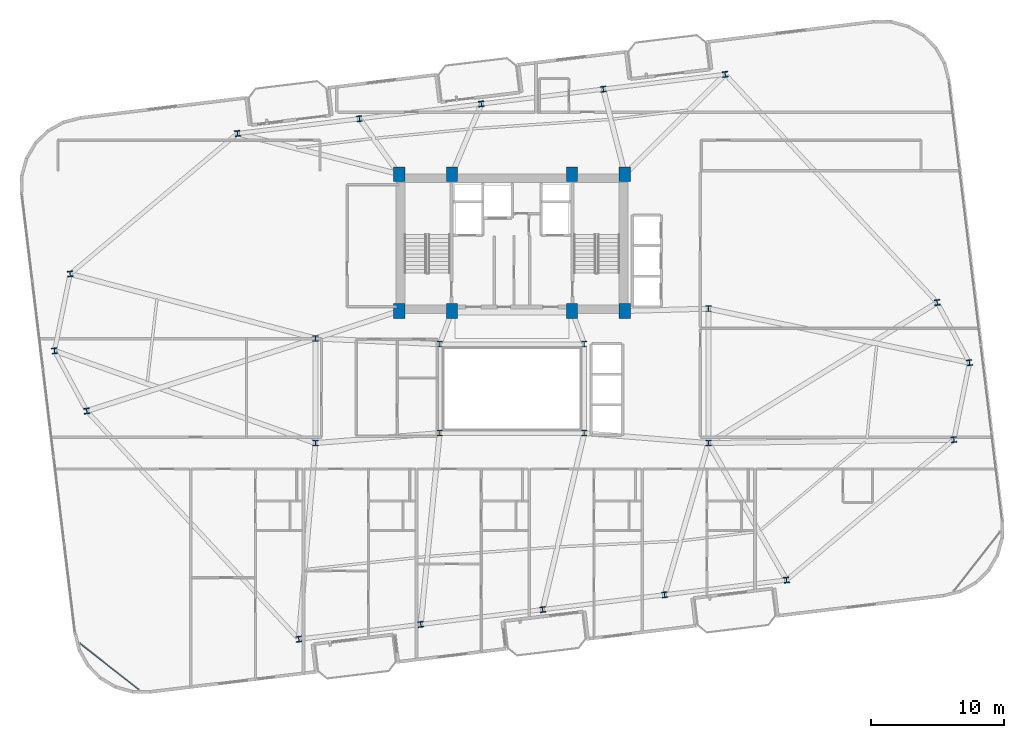
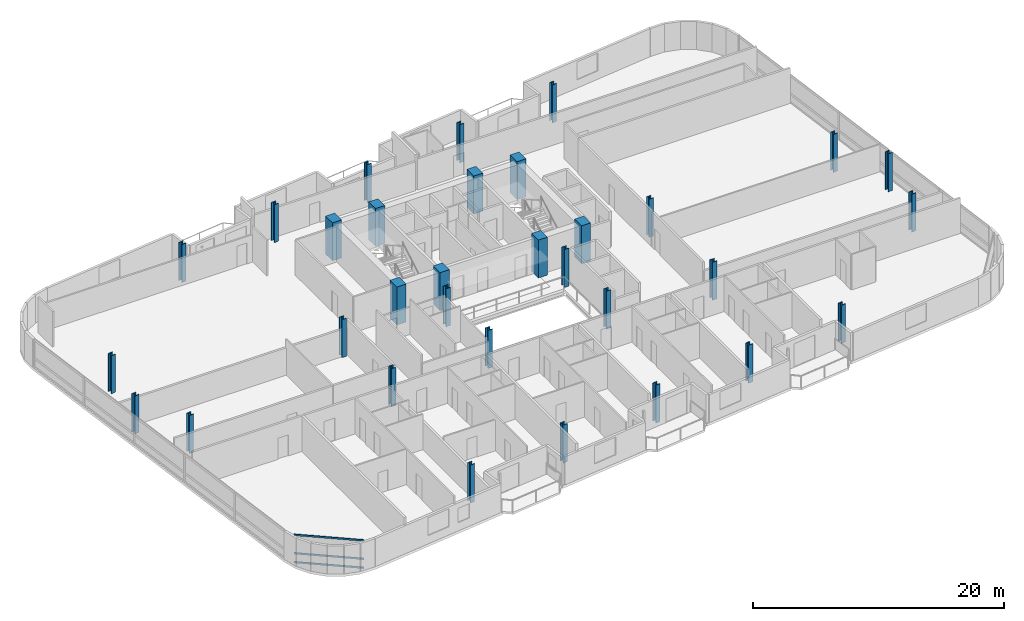
# One storey, part 1 of 24: 32 columns, 3 members, 1 element without a shape of its own.
"""IFC4 building model written with IfcOpenShell, lengths in metres."""

from ifc_helpers import new_model, si_unit, direction, frame, origin, origin_2d, place, context, subcontext, project, spatial, rectangle, hollow_rectangle, i_section, extrude, material, layer, layer_set, material_profile, profile_set, type_object, element, aggregate, save


model = new_model("IFC4")

# Units and contexts
model_context = context("Model", 3, precision=1e-05, world=origin(), true_north=direction((0.0, 1.0)))
body_context = subcontext(model_context, "Body", "Model", "MODEL_VIEW")
ifc_project = project(units=[si_unit("LENGTHUNIT", "METRE"), si_unit("AREAUNIT", "SQUARE_METRE"), si_unit("VOLUMEUNIT", "CUBIC_METRE"), si_unit("PLANEANGLEUNIT", "RADIAN"), si_unit("MASSUNIT", "GRAM", prefix="KILO")], contexts=[model_context])

# Site, building, storey
site_placement = place(None, origin())
site = spatial("IfcSite", under=ifc_project, at=site_placement, CompositionType="ELEMENT")
building_placement = place(site_placement, origin())
building = spatial("IfcBuilding", under=site, at=building_placement, Name="Varnelok Gate Tower", CompositionType="ELEMENT")
storey_placement = place(building_placement, frame((0.0, 0.0, 196.800048828125)))
storey = spatial("IfcBuildingStorey", under=building, at=storey_placement, Name="L50", CompositionType="ELEMENT", Elevation=196.800048828125)

# Columns
ifc_material_1 = material(Name="Concrete C60/75", Category="concrete")
ifc_material_profile_1 = material_profile(ifc_material_1, rectangle(XDim=0.85009765625, YDim=1.10009765625, at=origin_2d()), Name="RC1100X850")
ifc_profile_set_1 = profile_set([ifc_material_profile_1], Name="Concrete C60/75")
column_type_1 = type_object("IfcColumnType", Name="COL-RC1100X850", PredefinedType="COLUMN", material=ifc_profile_set_1)
for number, where, z_axis, x_axis, name in (
    (1, (30.699951171875, 28.75, 0.0), (0.0, 0.0, 1.0), (1.0, 0.0, 0.0), "L50 Core Spine Column SC1"),
    (2, (34.679931640625, 28.75, 0.0), (0.0, 0.0, 1.0), (1.0, 0.0, 0.0), "L50 Core Spine Column SC2"),
    (3, (43.719970703125, 28.75, 0.0), (0.0, 0.0, 1.0), (1.0, 0.0, 0.0), "L50 Core Spine Column SC3"),
    (4, (47.699951171875, 28.75, 0.0), (0.0, 0.0, 1.0), (1.0, 0.0, 0.0), "L50 Core Spine Column SC4"),
    (5, (30.699951171875, 39.050048828125, 0.0), (0.0, 0.0, 1.0), (1.0, 0.0, 0.0), "L50 Core Spine Column SC5"),
    (6, (34.679931640625, 39.050048828125, 0.0), (0.0, 0.0, 1.0), (1.0, 0.0, 0.0), "L50 Core Spine Column SC6"),
    (7, (43.719970703125, 39.050048828125, 0.0), (0.0, 0.0, 1.0), (1.0, 0.0, 0.0), "L50 Core Spine Column SC7"),
    (8, (47.699951171875, 39.050048828125, 0.0), (0.0, 0.0, 1.0), (1.0, 0.0, 0.0), "L50 Core Spine Column SC8"),
):
    element("IfcColumn", number, at=place(storey_placement, frame(where, z_axis=z_axis, x_axis=x_axis)), inside=storey, type_object=column_type_1, Name=name, PredefinedType="COLUMN", context=body_context, shape_type="SweptSolid", body=[
        extrude(rectangle(XDim=0.85009765625, YDim=1.10009765625, at=origin_2d()), origin(), (0.0, 0.0, 1.0), 3.699951171875),
    ])
ifc_material_2 = material(Name="Structural Steel ASTM A992 Grade 50", Category="steel")
ifc_material_profile_2 = material_profile(ifc_material_2, i_section(OverallWidth=0.412109375, OverallDepth=0.43505859375, WebThickness=0.035888671875, FlangeThickness=0.057373046875, FilletRadius=0.02490234375, at=origin_2d()), Name="W14X311")
ifc_profile_set_2 = profile_set([ifc_material_profile_2], Name="Structural Steel ASTM A992 Grade 50")
column_type_2 = type_object("IfcColumnType", Name="COL-W14X311", PredefinedType="COLUMN", material=ifc_profile_set_2)
for number, where, z_axis, x_axis, name in (
    (9, (23.142578125, 4.032958984375, 0.0), (0.0, 0.0, 1.0), (0.992732158755, 0.12034475881, 0.0), "L50 B4 Perimeter Column PC01"),
    (10, (32.325439453125, 5.146240234375, 0.0), (0.0, 0.0, 1.0), (0.992732158755, 0.12034475881, 0.0), "L50 B4 Perimeter Column PC02"),
    (11, (41.50830078125, 6.259521484375, 0.0), (0.0, 0.0, 1.0), (0.992732158755, 0.12034475881, 0.0), "L50 B4 Perimeter Column PC03"),
    (12, (50.69091796875, 7.37255859375, 0.0), (0.0, 0.0, 1.0), (0.992732158755, 0.12034475881, 0.0), "L50 B4 Perimeter Column PC04"),
    (13, (59.873779296875, 8.48583984375, 0.0), (0.0, 0.0, 1.0), (0.992732158755, 0.12034475881, 0.0), "L50 B4 Perimeter Column PC05"),
    (14, (72.476806640625, 19.059326171875, 0.0), (0.0, 0.0, 1.0), (0.992732158755, 0.12034475881, 0.0), "L50 B4 Perimeter Column PC06"),
    (15, (73.654296875, 24.85302734375, 0.0), (0.0, 0.0, 1.0), (0.992732158755, 0.12034475881, 0.0), "L50 B4 Perimeter Column PC07"),
    (16, (71.225341796875, 29.3837890625, 0.0), (0.0, 0.0, 1.0), (0.992732158755, 0.12034475881, 0.0), "L50 B4 Perimeter Column PC08"),
    (17, (55.25732421875, 46.56689453125, 0.0), (0.0, 0.0, 1.0), (0.992732158755, 0.12034475881, 0.0), "L50 B4 Perimeter Column PC09"),
    (18, (46.07470703125, 45.453857421875, 0.0), (0.0, 0.0, 1.0), (0.992732158755, 0.12034475881, 0.0), "L50 B4 Perimeter Column PC10"),
    (19, (36.891845703125, 44.340576171875, 0.0), (0.0, 0.0, 1.0), (0.992732158755, 0.12034475881, 0.0), "L50 B4 Perimeter Column PC11"),
    (20, (27.708984375, 43.227294921875, 0.0), (0.0, 0.0, 1.0), (0.992732158755, 0.12034475881, 0.0), "L50 B4 Perimeter Column PC12"),
    (21, (18.526123046875, 42.1142578125, 0.0), (0.0, 0.0, 1.0), (0.992732158755, 0.12034475881, 0.0), "L50 B4 Perimeter Column PC13"),
    (22, (5.923095703125, 31.540771484375, 0.0), (0.0, 0.0, 1.0), (0.992732158755, 0.12034475881, 0.0), "L50 B4 Perimeter Column PC14"),
    (23, (4.745849609375, 25.746826171875, 0.0), (0.0, 0.0, 1.0), (0.992732158755, 0.12034475881, 0.0), "L50 B4 Perimeter Column PC15"),
    (24, (7.1748046875, 21.21630859375, 0.0), (0.0, 0.0, 1.0), (0.992732158755, 0.12034475881, 0.0), "L50 B4 Perimeter Column PC16"),
):
    element("IfcColumn", number, at=place(storey_placement, frame(where, z_axis=z_axis, x_axis=x_axis)), inside=storey, type_object=column_type_2, Name=name, PredefinedType="COLUMN", context=body_context, shape_type="SweptSolid", body=[
        extrude(i_section(OverallWidth=0.412109375, OverallDepth=0.43505859375, WebThickness=0.035888671875, FlangeThickness=0.057373046875, FilletRadius=0.02490234375, at=origin_2d()), origin(), (0.0, 0.0, 1.0), 3.699951171875),
    ])
ifc_material_profile_3 = material_profile(ifc_material_2, i_section(OverallWidth=0.41796875, OverallDepth=0.455078125, WebThickness=0.0419921875, FlangeThickness=0.067626953125, FilletRadius=0.02490234375, at=origin_2d()), Name="W14X370")
ifc_profile_set_3 = profile_set([ifc_material_profile_3], Name="Structural Steel ASTM A992 Grade 50")
column_type_3 = type_object("IfcColumnType", Name="COL-W14X370", PredefinedType="COLUMN", material=ifc_profile_set_3)
for number, where, z_axis, x_axis, name in (
    (25, (33.75, 19.550048828125, 0.0), (0.0, 0.0, 1.0), (1.0, 0.0, 0.0), "L50 Atrium Spine Column AC1"),
    (26, (44.64990234375, 19.550048828125, 0.0), (0.0, 0.0, 1.0), (1.0, 0.0, 0.0), "L50 Atrium Spine Column AC2"),
    (27, (33.75, 26.25, 0.0), (0.0, 0.0, 1.0), (1.0, 0.0, 0.0), "L50 Atrium Spine Column AC3"),
    (28, (44.64990234375, 26.25, 0.0), (0.0, 0.0, 1.0), (1.0, 0.0, 0.0), "L50 Atrium Spine Column AC4"),
    (29, (24.39990234375, 18.800048828125, 0.0), (0.0, 0.0, 1.0), (1.0, 0.0, 0.0), "L50 Wing Spine Column WS1"),
    (30, (24.39990234375, 26.679931640625, 0.0), (0.0, 0.0, 1.0), (1.0, 0.0, 0.0), "L50 Wing Spine Column WS2"),
    (31, (54.0, 18.800048828125, 0.0), (0.0, 0.0, 1.0), (1.0, 0.0, 0.0), "L50 Wing Spine Column ES1"),
    (32, (54.0, 28.919921875, 0.0), (0.0, 0.0, 1.0), (1.0, 0.0, 0.0), "L50 Wing Spine Column ES2"),
):
    element("IfcColumn", number, at=place(storey_placement, frame(where, z_axis=z_axis, x_axis=x_axis)), inside=storey, type_object=column_type_3, Name=name, PredefinedType="COLUMN", context=body_context, shape_type="SweptSolid", body=[
        extrude(i_section(OverallWidth=0.41796875, OverallDepth=0.455078125, WebThickness=0.0419921875, FlangeThickness=0.067626953125, FilletRadius=0.02490234375, at=origin_2d()), origin(), (0.0, 0.0, 1.0), 3.699951171875),
    ])

# Curtain wall, members
ifc_material_3 = material(Name="Anodized Aluminum Alloy 6063-T6", Category="aluminium")
ifc_layer = layer(ifc_material_3, 0.179931640625)
ifc_layer_set = layer_set([ifc_layer], Name="Anodized Aluminum Alloy 6063-T6")
curtain_wall_type = type_object("IfcCurtainWallType", Name="CW5-WINDCORNER-GLAZ", PredefinedType="USERDEFINED", material=ifc_layer_set)
curtain_wall_placement = place(storey_placement, origin())
curtain_wall = element("IfcCurtainWall", 33, at=curtain_wall_placement, inside=storey, type_object=curtain_wall_type, Name="L50 Wind-Shaped Corner Curtain Wall SW", ObjectType="STRUCTURAL GLAZING", PredefinedType="USERDEFINED")
ifc_material_profile_4 = material_profile(ifc_material_3, hollow_rectangle(XDim=0.06494140625, YDim=0.159912109375, WallThickness=0.00390625, at=origin_2d()), Name="ALU160X65X4")
ifc_profile_set_4 = profile_set([ifc_material_profile_4], Name="Anodized Aluminum Alloy 6063-T6")
member_type = type_object("IfcMemberType", Name="CW-TRAN-160", PredefinedType="USERDEFINED", material=ifc_profile_set_4)
member_1_placement = place(storey_placement, frame((6.65869140625, 3.700927734375, 0.032470703125), z_axis=(0.787066165046, -0.616868585551, 0.0), x_axis=(0.616868585551, 0.787066165046, 0.0)))
member_1 = element("IfcMember", 34, at=member_1_placement, type_object=member_type, Name="CW5 transom 1.1", ObjectType="TRANSOM", PredefinedType="USERDEFINED", context=body_context, shape_type="SweptSolid", body=[
    extrude(hollow_rectangle(XDim=0.06494140625, YDim=0.159912109375, WallThickness=0.00390625, at=origin_2d()), origin(), (0.0, 0.0, 1.0), 5.6259765625),
])
member_2_placement = place(storey_placement, frame((6.65869140625, 3.700927734375, 0.89990234375), z_axis=(0.787066165046, -0.616868585551, 0.0), x_axis=(0.616868585551, 0.787066165046, 0.0)))
member_2 = element("IfcMember", 35, at=member_2_placement, type_object=member_type, Name="CW5 transom 1.2", ObjectType="TRANSOM", PredefinedType="USERDEFINED", context=body_context, shape_type="SweptSolid", body=[
    extrude(hollow_rectangle(XDim=0.06494140625, YDim=0.159912109375, WallThickness=0.00390625, at=origin_2d()), origin(), (0.0, 0.0, 1.0), 5.6259765625),
])
member_3_placement = place(storey_placement, frame((6.65869140625, 3.700927734375, 2.697509765625), z_axis=(0.787066165046, -0.616868585551, 0.0), x_axis=(0.616868585551, 0.787066165046, 0.0)))
member_3 = element("IfcMember", 36, at=member_3_placement, type_object=member_type, Name="CW5 transom 1.3", ObjectType="TRANSOM", PredefinedType="USERDEFINED", context=body_context, shape_type="SweptSolid", body=[
    extrude(hollow_rectangle(XDim=0.06494140625, YDim=0.159912109375, WallThickness=0.00390625, at=origin_2d()), origin(), (0.0, 0.0, 1.0), 5.6259765625),
])
aggregate(curtain_wall, [member_1, member_2, member_3])

save(model, "model.ifc")
